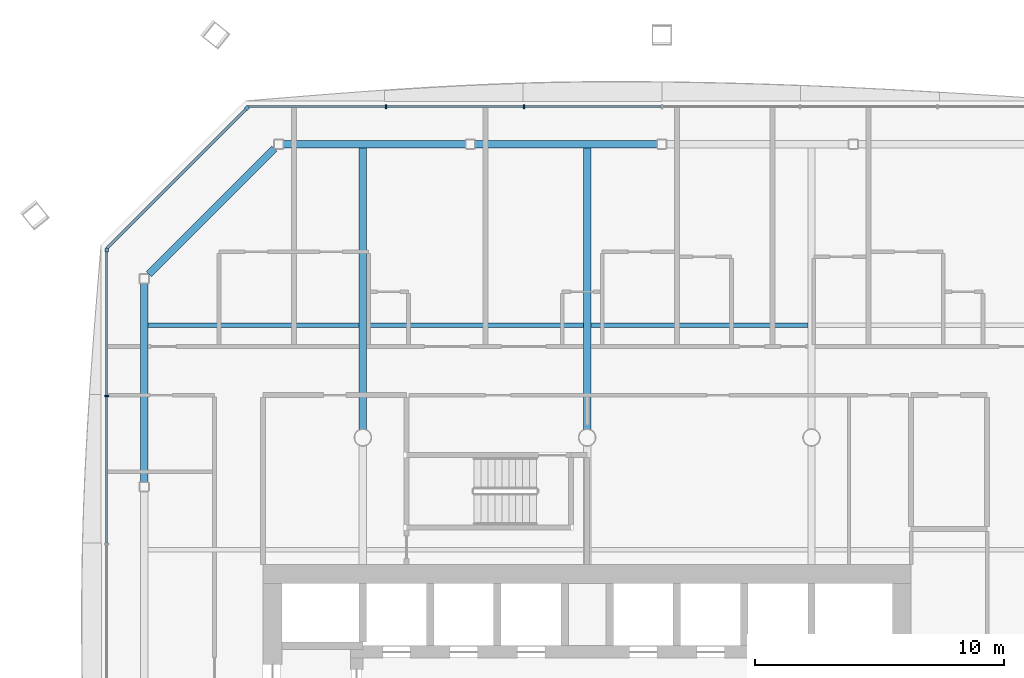
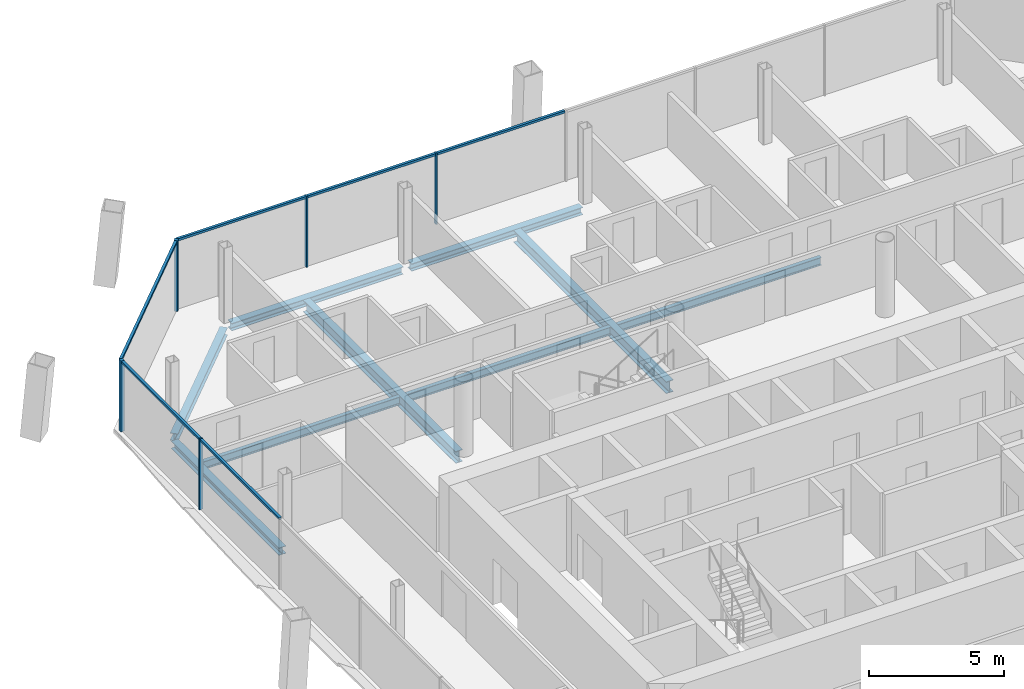
# One storey, part 8 of 18: 11 members, 9 beams, 3 elements without a shape of their own.
"""IFC4 building model written with IfcOpenShell, lengths in metres."""

from ifc_helpers import new_model, si_unit, direction, frame, origin, origin_2d, place, context, subcontext, project, spatial, rectangle, i_section, extrude, material, material_profile, profile_set, type_object, element, aggregate, save


model = new_model("IFC4")

# Units and contexts
model_context = context("Model", 3, precision=1e-05, world=origin(), true_north=direction((0.0, 1.0)))
body_context = subcontext(model_context, "Body", "Model", "MODEL_VIEW")
ifc_project = project(units=[si_unit("LENGTHUNIT", "METRE"), si_unit("AREAUNIT", "SQUARE_METRE"), si_unit("VOLUMEUNIT", "CUBIC_METRE"), si_unit("PLANEANGLEUNIT", "RADIAN"), si_unit("MASSUNIT", "GRAM", prefix="KILO")], contexts=[model_context])

# Site, building, storey
site_placement = place(None, origin())
site = spatial("IfcSite", under=ifc_project, at=site_placement, CompositionType="ELEMENT")
building_placement = place(site_placement, origin())
building = spatial("IfcBuilding", under=site, at=building_placement, Name="Tskaro Facet Tower", CompositionType="ELEMENT")
storey_placement = place(building_placement, frame((0.0, 0.0, 145.300048828125)))
storey = spatial("IfcBuildingStorey", under=building, at=storey_placement, Name="L35", CompositionType="ELEMENT", Elevation=145.300048828125)

# Curtain wall, member
ifc_material_1 = material(Name="Bronze anodised aluminium 6063-T6", Category="aluminium")
curtain_wall_type = type_object("IfcCurtainWallType", Name="Bronze hotel curtain wall (FW2)", PredefinedType="NOTDEFINED", material=ifc_material_1)
curtain_wall_1_placement = place(storey_placement, origin())
curtain_wall_1 = element("IfcCurtainWall", 1, at=curtain_wall_1_placement, inside=storey, type_object=curtain_wall_type, Name="FW2 north-west facet L35", PredefinedType="NOTDEFINED")
ifc_material_profile_1 = material_profile(ifc_material_1, rectangle(XDim=0.14990234375, YDim=0.14990234375, at=origin_2d()), Name="Corner post 150x150")
ifc_profile_set_1 = profile_set([ifc_material_profile_1], Name="Bronze anodised aluminium 6063-T6")
member_type_1 = type_object("IfcMemberType", Name="FW2 bronze corner post 150x150", PredefinedType="MULLION", material=ifc_profile_set_1)
member_1_placement = place(storey_placement, frame((-13.64501953125, 22.218994140625, 0.0), z_axis=(0.0, 0.0, 1.0), x_axis=(-0.707106781187, -0.707106781187, 0.0)))
member_1 = element("IfcMember", 2, at=member_1_placement, type_object=member_type_1, Name="FW2 north-west corner post", PredefinedType="MULLION", context=body_context, shape_type="SweptSolid", body=[
    extrude(rectangle(XDim=0.14990234375, YDim=0.14990234375, at=origin_2d()), origin(), (0.0, 0.0, 1.0), 3.199951171875),
])

curtain_wall_2_placement = place(storey_placement, origin())
curtain_wall_2 = element("IfcCurtainWall", 3, at=curtain_wall_2_placement, inside=storey, type_object=curtain_wall_type, Name="FW2 west facet L35", PredefinedType="NOTDEFINED")
member_2_placement = place(storey_placement, frame((-19.27197265625, 16.51708984375, 0.0), z_axis=(0.0, 0.0, 1.0), x_axis=(0.0, -1.0, 0.0)))
member_2 = element("IfcMember", 4, at=member_2_placement, type_object=member_type_1, Name="FW2 west corner post", PredefinedType="MULLION", context=body_context, shape_type="SweptSolid", body=[
    extrude(rectangle(XDim=0.14990234375, YDim=0.14990234375, at=origin_2d()), origin(), (0.0, 0.0, 1.0), 3.199951171875),
])

# Curtain wall, members
curtain_wall_3_placement = place(storey_placement, origin())
curtain_wall_3 = element("IfcCurtainWall", 5, at=curtain_wall_3_placement, inside=storey, type_object=curtain_wall_type, Name="FW2 north facet L35", PredefinedType="NOTDEFINED")
ifc_material_profile_2 = material_profile(ifc_material_1, rectangle(XDim=0.06005859375, YDim=0.14990234375, at=origin_2d()), Name="Mullion 60x150")
ifc_profile_set_2 = profile_set([ifc_material_profile_2], Name="Bronze anodised aluminium 6063-T6")
member_type_2 = type_object("IfcMemberType", Name="FW2 bronze mullion 60x150", PredefinedType="MULLION", material=ifc_profile_set_2)
member_3_placement = place(storey_placement, frame((-2.53076171875, 22.27197265625, 0.0), z_axis=(0.0, 0.0, 1.0), x_axis=(-1.0, 0.0, 0.0)))
member_3 = element("IfcMember", 6, at=member_3_placement, type_object=member_type_2, Name="FW2 north mullion 4", PredefinedType="MULLION", context=body_context, shape_type="SweptSolid", body=[
    extrude(rectangle(XDim=0.06005859375, YDim=0.14990234375, at=origin_2d()), origin(), (0.0, 0.0, 1.0), 3.199951171875),
])
member_4_placement = place(storey_placement, frame((-8.061279296875, 22.27197265625, 0.0), z_axis=(0.0, 0.0, 1.0), x_axis=(-1.0, 0.0, 0.0)))
member_4 = element("IfcMember", 7, at=member_4_placement, type_object=member_type_2, Name="FW2 north mullion 5", PredefinedType="MULLION", context=body_context, shape_type="SweptSolid", body=[
    extrude(rectangle(XDim=0.06005859375, YDim=0.14990234375, at=origin_2d()), origin(), (0.0, 0.0, 1.0), 3.199951171875),
])

# Member
member_5_placement = place(storey_placement, frame((-19.27197265625, 10.662841796875, 0.0), z_axis=(0.0, 0.0, 1.0), x_axis=(0.0, -1.0, 0.0)))
member_5 = element("IfcMember", 8, at=member_5_placement, type_object=member_type_2, Name="FW2 west mullion 1", PredefinedType="MULLION", context=body_context, shape_type="SweptSolid", body=[
    extrude(rectangle(XDim=0.06005859375, YDim=0.14990234375, at=origin_2d()), origin(), (0.0, 0.0, 1.0), 3.199951171875),
])

ifc_material_profile_3 = material_profile(ifc_material_1, rectangle(XDim=0.110107421875, YDim=0.10009765625, at=origin_2d()), Name="Transom 110x100")
ifc_profile_set_3 = profile_set([ifc_material_profile_3], Name="Bronze anodised aluminium 6063-T6")
member_type_3 = type_object("IfcMemberType", Name="FW2 bronze transom 110x100", PredefinedType="USERDEFINED", material=ifc_profile_set_3)
member_6_placement = place(storey_placement, frame((2.969970703125, 22.27197265625, 3.14990234375), z_axis=(-1.0, 0.0, 0.0), x_axis=(0.0, -1.0, 0.0)))
member_6 = element("IfcMember", 9, at=member_6_placement, type_object=member_type_3, Name="FW2 north transom 4.1", ObjectType="TRANSOM", PredefinedType="USERDEFINED", context=body_context, shape_type="SweptSolid", body=[
    extrude(rectangle(XDim=0.110107421875, YDim=0.10009765625, at=origin_2d()), origin(), (0.0, 0.0, 1.0), 5.470703125),
])

member_7_placement = place(storey_placement, frame((-2.560546875, 22.27197265625, 3.14990234375), z_axis=(-1.0, 0.0, 0.0), x_axis=(0.0, -1.0, 0.0)))
member_7 = element("IfcMember", 10, at=member_7_placement, type_object=member_type_3, Name="FW2 north transom 5.1", ObjectType="TRANSOM", PredefinedType="USERDEFINED", context=body_context, shape_type="SweptSolid", body=[
    extrude(rectangle(XDim=0.110107421875, YDim=0.10009765625, at=origin_2d()), origin(), (0.0, 0.0, 1.0), 5.470703125),
])

member_8_placement = place(storey_placement, frame((-8.09130859375, 22.27197265625, 3.14990234375), z_axis=(-1.0, 0.0, 0.0), x_axis=(0.0, -1.0, 0.0)))
member_8 = element("IfcMember", 11, at=member_8_placement, type_object=member_type_3, Name="FW2 north transom 6.1", ObjectType="TRANSOM", PredefinedType="USERDEFINED", context=body_context, shape_type="SweptSolid", body=[
    extrude(rectangle(XDim=0.110107421875, YDim=0.10009765625, at=origin_2d()), origin(), (0.0, 0.0, 1.0), 5.500732421875),
])

aggregate(curtain_wall_3, [member_3, member_4, member_6, member_7, member_8])

member_9_placement = place(storey_placement, frame((-13.697998046875, 22.166015625, 3.14990234375), z_axis=(-0.707106781187, -0.707106781187, 0.0), x_axis=(0.707106781187, -0.707106781187, 0.0)))
member_9 = element("IfcMember", 12, at=member_9_placement, type_object=member_type_3, Name="FW2 north-west transom 1.1", ObjectType="TRANSOM", PredefinedType="USERDEFINED", context=body_context, shape_type="SweptSolid", body=[
    extrude(rectangle(XDim=0.110107421875, YDim=0.10009765625, at=origin_2d()), origin(), (0.0, 0.0, 1.0), 7.8828125),
])

aggregate(curtain_wall_1, [member_1, member_9])

member_10_placement = place(storey_placement, frame((-19.27197265625, 16.44189453125, 3.14990234375), z_axis=(0.0, -1.0, 0.0), x_axis=(1.0, 0.0, 0.0)))
member_10 = element("IfcMember", 13, at=member_10_placement, type_object=member_type_3, Name="FW2 west transom 1.1", ObjectType="TRANSOM", PredefinedType="USERDEFINED", context=body_context, shape_type="SweptSolid", body=[
    extrude(rectangle(XDim=0.110107421875, YDim=0.10009765625, at=origin_2d()), origin(), (0.0, 0.0, 1.0), 5.7490234375),
])

member_11_placement = place(storey_placement, frame((-19.27197265625, 10.6328125, 3.14990234375), z_axis=(0.0, -1.0, 0.0), x_axis=(1.0, 0.0, 0.0)))
member_11 = element("IfcMember", 14, at=member_11_placement, type_object=member_type_3, Name="FW2 west transom 2.1", ObjectType="TRANSOM", PredefinedType="USERDEFINED", context=body_context, shape_type="SweptSolid", body=[
    extrude(rectangle(XDim=0.110107421875, YDim=0.10009765625, at=origin_2d()), origin(), (0.0, 0.0, 1.0), 5.869140625),
])

aggregate(curtain_wall_2, [member_2, member_5, member_10, member_11])

# Beams
ifc_material_2 = material(Name="Steel S355J2", Category="steel")
ifc_material_profile_4 = material_profile(ifc_material_2, i_section(OverallWidth=0.300048828125, OverallDepth=0.340087890625, WebThickness=0.011962890625, FlangeThickness=0.021484375, FilletRadius=0.027099609375, at=origin_2d()), Name="HE 340 B")
ifc_profile_set_4 = profile_set([ifc_material_profile_4], Name="Steel S355J2")
beam_type_1 = type_object("IfcBeamType", Name="HE 340 B ring beam", PredefinedType="BEAM", material=ifc_profile_set_4)
for number, where, z_axis, x_axis, name in (
    (15, (2.820068359375, 20.77392578125, -0.31005859375), (-1.0, 0.0, 0.0), (0.0, -1.0, 0.0), "HE 340 B EB13-3"),
    (16, (-4.864013671875, 20.77392578125, -0.31005859375), (-1.0, 0.0, 0.0), (0.0, -1.0, 0.0), "HE 340 B EB14-3"),
):
    element("IfcBeam", number, at=place(storey_placement, frame(where, z_axis=z_axis, x_axis=x_axis)), inside=storey, type_object=beam_type_1, Name=name, PredefinedType="BEAM", context=body_context, shape_type="SweptSolid", body=[
        extrude(i_section(OverallWidth=0.300048828125, OverallDepth=0.340087890625, WebThickness=0.011962890625, FlangeThickness=0.021484375, FilletRadius=0.027099609375, at=origin_2d()), origin(), (0.0, 0.0, 1.0), 7.323974609375),
    ])
beam_1_placement = place(storey_placement, frame((-12.553955078125, 20.588134765625, -0.31005859375), z_axis=(-0.707106781187, -0.707106781187, 0.0), x_axis=(0.707106781187, -0.707106781187, 0.0)))
element("IfcBeam", 17, at=beam_1_placement, inside=storey, type_object=beam_type_1, Name="HE 340 B EB15-3", PredefinedType="BEAM", context=body_context, shape_type="SweptSolid", body=[
    extrude(i_section(OverallWidth=0.300048828125, OverallDepth=0.340087890625, WebThickness=0.011962890625, FlangeThickness=0.021484375, FilletRadius=0.027099609375, at=origin_2d()), origin(), (0.0, 0.0, 1.0), 7.119384765625),
])
beam_2_placement = place(storey_placement, frame((-17.77392578125, 15.18798828125, -0.31005859375), z_axis=(0.0, -1.0, 0.0), x_axis=(1.0, 0.0, 0.0)))
element("IfcBeam", 18, at=beam_2_placement, inside=storey, type_object=beam_type_1, Name="HE 340 B EB16-3", PredefinedType="BEAM", context=body_context, shape_type="SweptSolid", body=[
    extrude(i_section(OverallWidth=0.300048828125, OverallDepth=0.340087890625, WebThickness=0.011962890625, FlangeThickness=0.021484375, FilletRadius=0.027099609375, at=origin_2d()), origin(), (0.0, 0.0, 1.0), 7.98193359375),
])
ifc_material_profile_5 = material_profile(ifc_material_2, i_section(OverallWidth=0.300048828125, OverallDepth=0.5400390625, WebThickness=0.012451171875, FlangeThickness=0.02392578125, FilletRadius=0.027099609375, at=origin_2d()), Name="HE 550 A")
ifc_profile_set_5 = profile_set([ifc_material_profile_5], Name="Steel S355J2")
beam_type_2 = type_object("IfcBeamType", Name="HE 550 A long girder", PredefinedType="BEAM", material=ifc_profile_set_5)
for number, where, z_axis, x_axis, name in (
    (19, (-9.0, 9.325439453125, -0.41015625), (0.0, 1.0, 0.0), (-1.0, 0.0, 0.0), "HE 550 A LGB3-3-3"),
    (20, (0.0, 9.325439453125, -0.41015625), (0.0, 1.0, 0.0), (-1.0, 0.0, 0.0), "HE 550 A LGB4-3-3"),
):
    element("IfcBeam", number, at=place(storey_placement, frame(where, z_axis=z_axis, x_axis=x_axis)), inside=storey, type_object=beam_type_2, Name=name, PredefinedType="BEAM", context=body_context, shape_type="SweptSolid", body=[
        extrude(i_section(OverallWidth=0.300048828125, OverallDepth=0.5400390625, WebThickness=0.012451171875, FlangeThickness=0.02392578125, FilletRadius=0.027099609375, at=origin_2d()), origin(), (0.0, 0.0, 1.0), 11.298583984375),
    ])
ifc_material_profile_6 = material_profile(ifc_material_2, i_section(OverallWidth=0.169921875, OverallDepth=0.360107421875, WebThickness=0.008056640625, FlangeThickness=0.0126953125, FilletRadius=0.01806640625, at=origin_2d()), Name="IPE 360")
ifc_profile_set_6 = profile_set([ifc_material_profile_6], Name="Steel S355J2")
beam_type_3 = type_object("IfcBeamType", Name="IPE 360 secondary beam", PredefinedType="BEAM", material=ifc_profile_set_6)
beam_3_placement = place(storey_placement, frame((-17.6240234375, 13.5, -0.320068359375), z_axis=(1.0, 0.0, 0.0), x_axis=(0.0, 1.0, 0.0)))
element("IfcBeam", 21, at=beam_3_placement, inside=storey, type_object=beam_type_3, Name="IPE 360 SB5a-1-3", PredefinedType="BEAM", context=body_context, shape_type="SweptSolid", body=[
    extrude(i_section(OverallWidth=0.169921875, OverallDepth=0.360107421875, WebThickness=0.008056640625, FlangeThickness=0.0126953125, FilletRadius=0.01806640625, at=origin_2d()), origin(), (0.0, 0.0, 1.0), 8.47412109375),
])
for number, where, z_axis, x_axis, name in (
    (22, (-8.85009765625, 13.5, -0.320068359375), (1.0, 0.0, 0.0), (0.0, 1.0, 0.0), "IPE 360 SB5a-2-3"),
    (23, (0.14990234375, 13.5, -0.320068359375), (1.0, 0.0, 0.0), (0.0, 1.0, 0.0), "IPE 360 SB5a-3-3"),
):
    element("IfcBeam", number, at=place(storey_placement, frame(where, z_axis=z_axis, x_axis=x_axis)), inside=storey, type_object=beam_type_3, Name=name, PredefinedType="BEAM", context=body_context, shape_type="SweptSolid", body=[
        extrude(i_section(OverallWidth=0.169921875, OverallDepth=0.360107421875, WebThickness=0.008056640625, FlangeThickness=0.0126953125, FilletRadius=0.01806640625, at=origin_2d()), origin(), (0.0, 0.0, 1.0), 8.7001953125),
    ])

save(model, "model.ifc")
